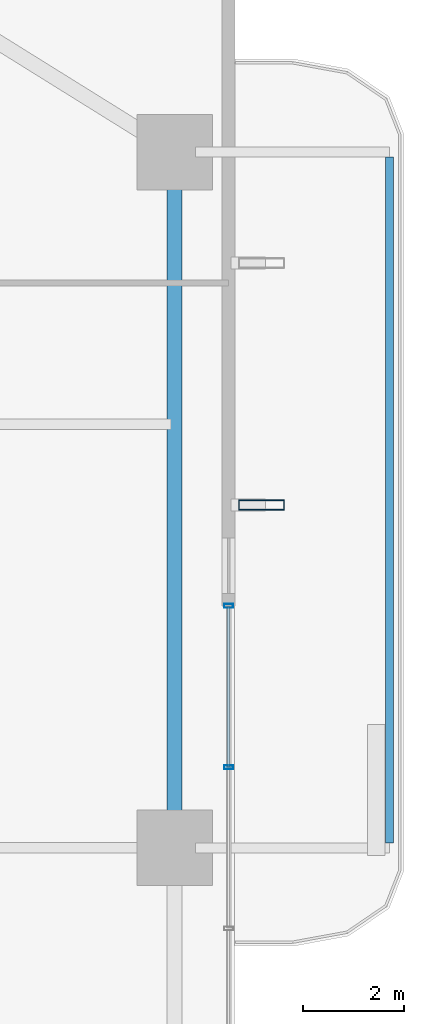
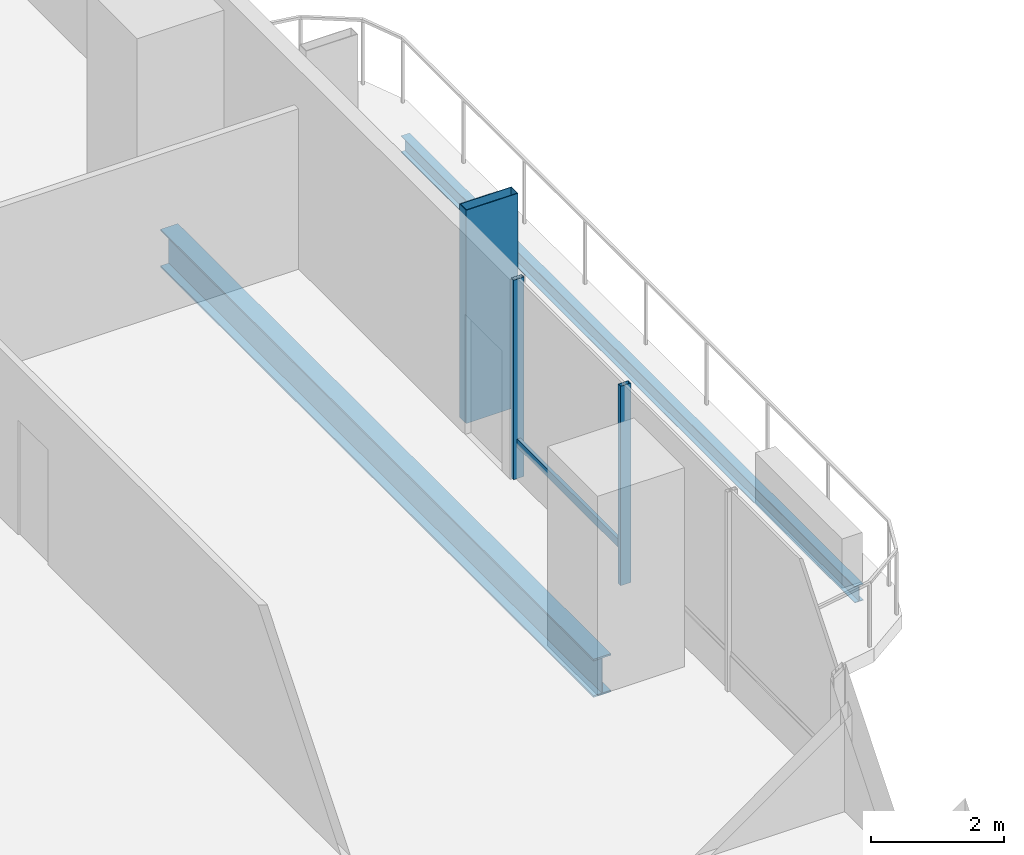
# One storey, part 13 of 24: 4 members, 2 beams, 1 element without a shape of its own.
"""IFC4 building model written with IfcOpenShell, lengths in metres."""

from ifc_helpers import new_model, si_unit, direction, frame, origin, origin_2d, place, context, subcontext, project, spatial, hollow_rectangle, i_section, extrude, material, layer, layer_set, material_profile, profile_set, type_object, element, aggregate, save


model = new_model("IFC4")

# Units and contexts
model_context = context("Model", 3, precision=1e-05, world=origin(), true_north=direction((0.0, 1.0)))
body_context = subcontext(model_context, "Body", "Model", "MODEL_VIEW")
ifc_project = project(units=[si_unit("LENGTHUNIT", "METRE"), si_unit("AREAUNIT", "SQUARE_METRE"), si_unit("VOLUMEUNIT", "CUBIC_METRE"), si_unit("PLANEANGLEUNIT", "RADIAN"), si_unit("MASSUNIT", "GRAM", prefix="KILO")], contexts=[model_context])

# Site, building, storey
site_placement = place(None, origin())
site = spatial("IfcSite", under=ifc_project, at=site_placement, CompositionType="ELEMENT")
building_placement = place(site_placement, origin())
building = spatial("IfcBuilding", under=site, at=building_placement, Name="Belovzor Exchange Tower", CompositionType="ELEMENT")
storey_placement = place(building_placement, frame((0.0, 0.0, 96.300048828125)))
storey = spatial("IfcBuildingStorey", under=building, at=storey_placement, Name="L23", CompositionType="ELEMENT", Elevation=96.300048828125)

# Beam
ifc_material_1 = material(Name="Steel S355", Category="steel")
ifc_material_profile_1 = material_profile(ifc_material_1, i_section(OverallWidth=0.14990234375, OverallDepth=0.300048828125, WebThickness=0.007080078125, FlangeThickness=0.0107421875, at=origin_2d()))
ifc_profile_set_1 = profile_set([ifc_material_profile_1], Name="Steel S355")
beam_type_1 = type_object("IfcBeamType", Name="Planted Balcony Fascia Edge Beam IPE 300", PredefinedType="BEAM", material=ifc_profile_set_1)
beam_1_placement = place(storey_placement, frame((59.762939453125, 28.89990234375, -0.400146484375), z_axis=(0.0, 1.0, 0.0), x_axis=(-1.0, 0.0, 0.0)))
element("IfcBeam", 1, at=beam_1_placement, inside=storey, type_object=beam_type_1, Name="BC-300 Planted Balcony Fascia Edge Beam IPE 300", PredefinedType="BEAM", context=body_context, shape_type="SweptSolid", body=[
    extrude(i_section(OverallWidth=0.14990234375, OverallDepth=0.300048828125, WebThickness=0.007080078125, FlangeThickness=0.0107421875, at=origin_2d()), origin(), (0.0, 0.0, 1.0), 13.60009765625),
])

# Member
ifc_material_2 = material(Name="Extruded Architectural Terracotta on Steel S355 Carrier", Category="masonry")
ifc_material_profile_2 = material_profile(ifc_material_2, hollow_rectangle(XDim=0.199951171875, YDim=0.89990234375, WallThickness=0.011962890625, at=origin_2d()))
ifc_profile_set_2 = profile_set([ifc_material_profile_2], Name="Extruded Architectural Terracotta on Steel S355 Carrier")
member_type_1 = type_object("IfcMemberType", Name="Sweeping Terracotta Baguette Fin Assembly 1250", PredefinedType="USERDEFINED", material=ifc_profile_set_2)
member_1_placement = place(storey_placement, frame((57.22509765625, 35.60009765625, -0.25), z_axis=(0.0, 0.0, 1.0), x_axis=(0.0, 1.0, 0.0)))
element("IfcMember", 2, at=member_1_placement, inside=storey, type_object=member_type_1, Name="FIN-TC125 Terracotta Facade Fin L23 E3", ObjectType="FIN", PredefinedType="USERDEFINED", context=body_context, shape_type="SweptSolid", body=[
    extrude(hollow_rectangle(XDim=0.199951171875, YDim=0.89990234375, WallThickness=0.011962890625, at=origin_2d()), origin(), (0.0, 0.0, 1.0), 3.89990234375),
])

# Curtain wall, members
ifc_material_3 = material(Name="Anodised Aluminium Framing", Category="aluminium")
ifc_layer = layer(ifc_material_3, 0.179931640625)
ifc_layer_set = layer_set([ifc_layer], Name="Anodised Aluminium Framing")
curtain_wall_type = type_object("IfcCurtainWallType", Name="Recessed Loggia Low-Iron Triple-Glazed Curtain Wall", PredefinedType="NOTDEFINED", material=ifc_layer_set)
curtain_wall_placement = place(storey_placement, origin())
curtain_wall = element("IfcCurtainWall", 3, at=curtain_wall_placement, inside=storey, type_object=curtain_wall_type, Name="CW3 Recessed Loggia Low-Iron Triple-Glazed Curtain Wall L23", PredefinedType="NOTDEFINED")
ifc_material_4 = material(Name="Steel S355", Category="steel")
ifc_material_profile_3 = material_profile(ifc_material_4, hollow_rectangle(XDim=0.074951171875, YDim=0.179931640625, WallThickness=0.0048828125, at=origin_2d()))
ifc_profile_set_3 = profile_set([ifc_material_profile_3], Name="Steel S355")
member_type_2 = type_object("IfcMemberType", Name="Thermally Broken Curtain Wall Mullion 180x75", PredefinedType="MULLION", material=ifc_profile_set_3)
member_2_placement = place(storey_placement, frame((56.570068359375, 33.60009765625, 0.0), z_axis=(0.0, 0.0, 1.0), x_axis=(0.0, -1.0, 0.0)))
member_2 = element("IfcMember", 4, at=member_2_placement, type_object=member_type_2, Name="CW-M180 Curtain Wall Mullion 1", PredefinedType="MULLION", context=body_context, shape_type="SweptSolid", body=[
    extrude(hollow_rectangle(XDim=0.074951171875, YDim=0.179931640625, WallThickness=0.0048828125, at=origin_2d()), origin(), (0.0, 0.0, 1.0), 3.64990234375),
])
member_3_placement = place(storey_placement, frame((56.570068359375, 30.39990234375, 0.0), z_axis=(0.0, 0.0, 1.0), x_axis=(0.0, -1.0, 0.0)))
member_3 = element("IfcMember", 5, at=member_3_placement, type_object=member_type_2, Name="CW-M180 Curtain Wall Mullion 2", PredefinedType="MULLION", context=body_context, shape_type="SweptSolid", body=[
    extrude(hollow_rectangle(XDim=0.074951171875, YDim=0.179931640625, WallThickness=0.0048828125, at=origin_2d()), origin(), (0.0, 0.0, 1.0), 3.64990234375),
])
ifc_material_5 = material(Name="Steel S355", Category="steel")
ifc_material_profile_4 = material_profile(ifc_material_5, hollow_rectangle(XDim=0.06005859375, YDim=0.14990234375, WallThickness=0.00390625, at=origin_2d()))
ifc_profile_set_4 = profile_set([ifc_material_profile_4], Name="Steel S355")
member_type_3 = type_object("IfcMemberType", Name="Thermally Broken Curtain Wall Transom 150x60", PredefinedType="USERDEFINED", material=ifc_profile_set_4)
member_4_placement = place(storey_placement, frame((56.570068359375, 33.592041015625, 0.64990234375), z_axis=(0.0, -1.0, 0.0), x_axis=(1.0, 0.0, 0.0)))
member_4 = element("IfcMember", 6, at=member_4_placement, type_object=member_type_3, Name="CW-T150 Curtain Wall Transom 1", ObjectType="TRANSOM", PredefinedType="USERDEFINED", context=body_context, shape_type="SweptSolid", body=[
    extrude(hollow_rectangle(XDim=0.06005859375, YDim=0.14990234375, WallThickness=0.00390625, at=origin_2d()), origin(), (0.0, 0.0, 1.0), 3.18408203125),
])
aggregate(curtain_wall, [member_2, member_3, member_4])

# Beam
ifc_material_6 = material(Name="Steel S355", Category="steel")
ifc_material_profile_5 = material_profile(ifc_material_6, i_section(OverallWidth=0.300048828125, OverallDepth=0.699951171875, WebThickness=0.01708984375, FlangeThickness=0.031982421875, at=origin_2d()))
ifc_profile_set_5 = profile_set([ifc_material_profile_5], Name="Steel S355")
beam_type_2 = type_object("IfcBeamType", Name="Zone 1 Primary Perimeter Girder HEB 700", PredefinedType="BEAM", material=ifc_profile_set_5)
beam_2_placement = place(storey_placement, frame((55.5, 29.212890625, -0.60009765625), z_axis=(0.0, 1.0, 0.0), x_axis=(-1.0, 0.0, 0.0)))
element("IfcBeam", 7, at=beam_2_placement, inside=storey, type_object=beam_type_2, Name="FG-Z1 Zone 1 Primary Perimeter Girder HEB 700", PredefinedType="BEAM", context=body_context, shape_type="SweptSolid", body=[
    extrude(i_section(OverallWidth=0.300048828125, OverallDepth=0.699951171875, WebThickness=0.01708984375, FlangeThickness=0.031982421875, at=origin_2d()), origin(), (0.0, 0.0, 1.0), 12.97509765625),
])

save(model, "model.ifc")
